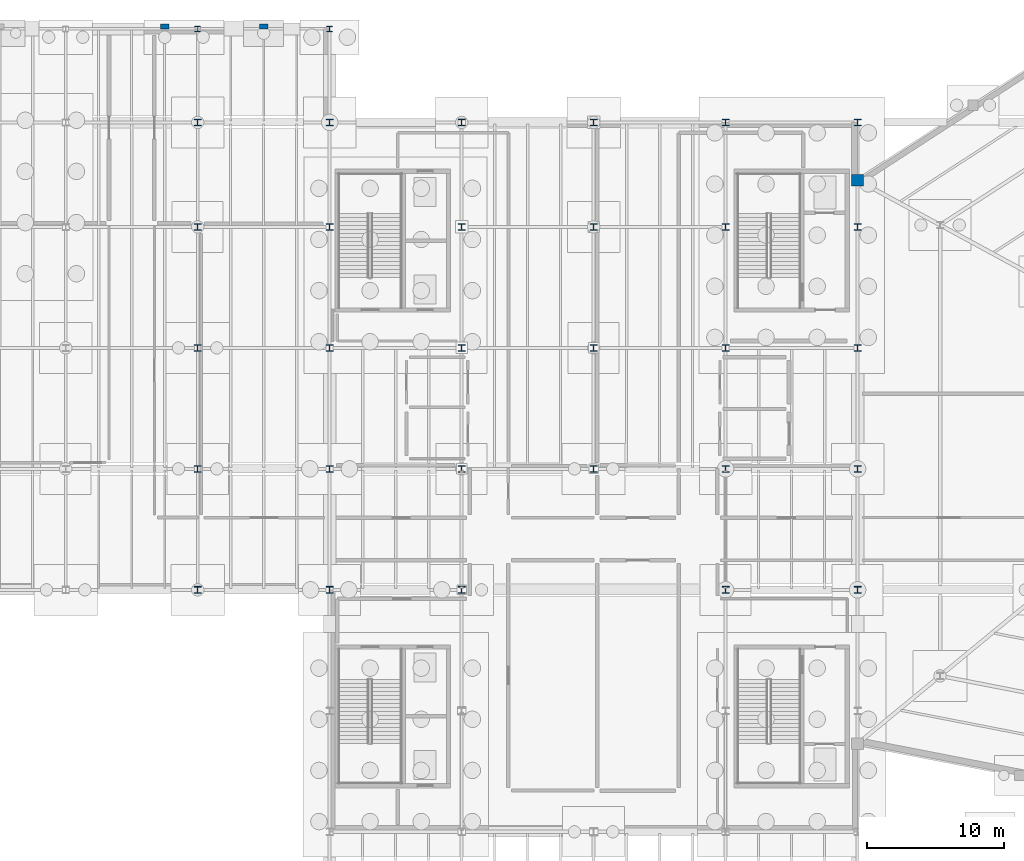
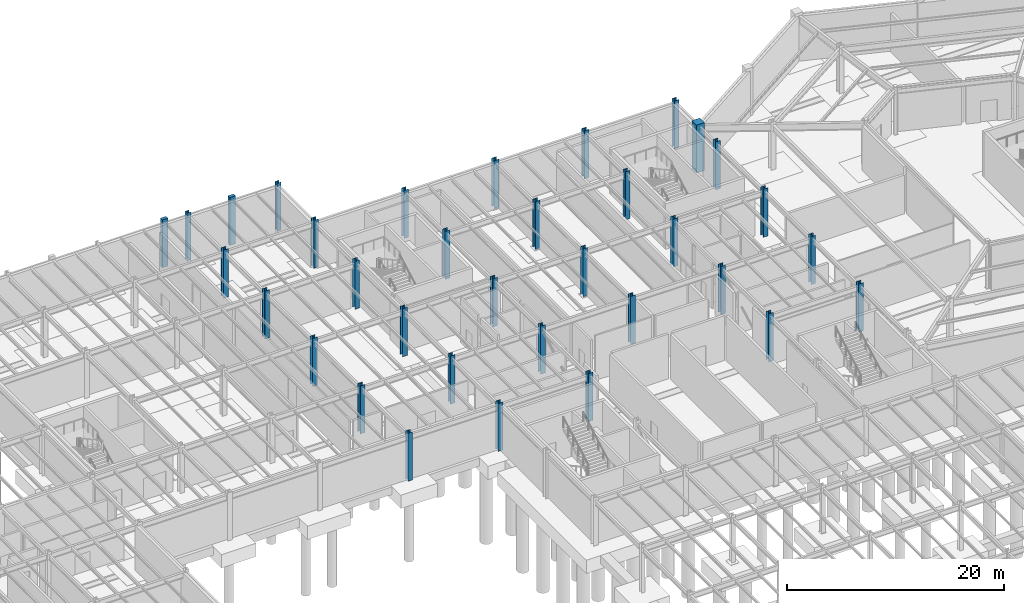
# One storey, part 12 of 48: 34 columns.
"""IFC4 building model written with IfcOpenShell, lengths in metres."""

from ifc_helpers import new_model, si_unit, direction, frame, origin, origin_2d, place, context, subcontext, project, spatial, rectangle, i_section, extrude, material, material_profile, profile_set, type_object, element, save


model = new_model("IFC4")

# Units and contexts
model_context = context("Model", 3, precision=1e-05, world=origin(), true_north=direction((0.0, 1.0)))
body_context = subcontext(model_context, "Body", "Model", "MODEL_VIEW")
ifc_project = project(units=[si_unit("LENGTHUNIT", "METRE"), si_unit("AREAUNIT", "SQUARE_METRE"), si_unit("VOLUMEUNIT", "CUBIC_METRE"), si_unit("PLANEANGLEUNIT", "RADIAN"), si_unit("MASSUNIT", "GRAM", prefix="KILO")], contexts=[model_context])

# Site, building, storey
site_placement = place(None, origin())
site = spatial("IfcSite", under=ifc_project, at=site_placement, CompositionType="ELEMENT")
building_placement = place(site_placement, origin())
building = spatial("IfcBuilding", under=site, at=building_placement, Name="Sarnbrook Museum", CompositionType="ELEMENT")
storey_placement = place(building_placement, frame((0.0, 0.0, -5.39990234375)))
storey = spatial("IfcBuildingStorey", under=building, at=storey_placement, Name="B1", CompositionType="ELEMENT", Elevation=-5.39990234375)

# Columns
ifc_material_1 = material(Name="Concrete N50 (AS 3600, f'c = 50 MPa)", Category="concrete")
ifc_material_profile_1 = material_profile(ifc_material_1, rectangle(XDim=0.85009765625, YDim=0.85009765625, at=origin_2d()), Name="RC 850x850")
ifc_profile_set_1 = profile_set([ifc_material_profile_1], Name="Concrete N50 (AS 3600, f'c = 50 MPa)")
column_type_1 = type_object("IfcColumnType", Name="COL-RC850", PredefinedType="COLUMN", material=ifc_profile_set_1)
column_placement = place(storey_placement, frame((119.199951171875, 104.199951171875, 0.0), z_axis=(0.0, 0.0, 1.0), x_axis=(1.0, 0.0, 0.0)))
element("IfcColumn", 1, at=column_placement, inside=storey, type_object=column_type_1, Name="Crystal Pier Column V7 B1", PredefinedType="COLUMN", context=body_context, shape_type="SweptSolid", body=[
    extrude(rectangle(XDim=0.85009765625, YDim=0.85009765625, at=origin_2d()), origin(), (0.0, 0.0, 1.0), 5.39990234375),
])
ifc_material_2 = material(Name="Structural Steel Grade 350L0 (AS/NZS 3678, fy = 340 MPa for 20 < t <= 40 mm)", Category="steel")
ifc_material_profile_2 = material_profile(ifc_material_2, i_section(OverallWidth=0.39990234375, OverallDepth=0.382080078125, WebThickness=0.02490234375, FlangeThickness=0.035888671875, at=origin_2d()), Name="400WC270")
ifc_profile_set_2 = profile_set([ifc_material_profile_2], Name="Structural Steel Grade 350L0 (AS/NZS 3678, fy = 340 MPa for 20 < t <= 40 mm)")
column_type_2 = type_object("IfcColumnType", Name="COL-WC400", PredefinedType="COLUMN", material=ifc_profile_set_2)
for number, where, z_axis, x_axis, name in (
    (2, (71.199951171875, 115.199951171875, 0.0), (0.0, 0.0, 1.0), (1.0, 0.0, 0.0), "Column 8-P B1"),
    (3, (80.800048828125, 115.199951171875, 0.0), (0.0, 0.0, 1.0), (1.0, 0.0, 0.0), "Column 9-P B1"),
):
    element("IfcColumn", number, at=place(storey_placement, frame(where, z_axis=z_axis, x_axis=x_axis)), inside=storey, type_object=column_type_2, Name=name, PredefinedType="COLUMN", context=body_context, shape_type="SweptSolid", body=[
        extrude(i_section(OverallWidth=0.39990234375, OverallDepth=0.382080078125, WebThickness=0.02490234375, FlangeThickness=0.035888671875, at=origin_2d()), origin(), (0.0, 0.0, 1.0), 5.39990234375),
    ])
ifc_material_profile_3 = material_profile(ifc_material_2, i_section(OverallWidth=0.5, OverallDepth=0.489990234375, WebThickness=0.028076171875, FlangeThickness=0.0400390625, at=origin_2d()), Name="500WC340")
ifc_profile_set_3 = profile_set([ifc_material_profile_3], Name="Structural Steel Grade 350L0 (AS/NZS 3678, fy = 340 MPa for 20 < t <= 40 mm)")
column_type_3 = type_object("IfcColumnType", Name="COL-WC500", PredefinedType="COLUMN", material=ifc_profile_set_3)
for number, where, z_axis, x_axis, name in (
    (4, (90.39990234375, 74.39990234375, 0.0), (0.0, 0.0, 1.0), (1.0, 0.0, 0.0), "Column 10-J B1"),
    (5, (90.39990234375, 83.199951171875, 0.0), (0.0, 0.0, 1.0), (1.0, 0.0, 0.0), "Column 10-K B1"),
    (6, (90.39990234375, 92.0, 0.0), (0.0, 0.0, 1.0), (1.0, 0.0, 0.0), "Column 10-L B1"),
    (7, (90.39990234375, 100.800048828125, 0.0), (0.0, 0.0, 1.0), (1.0, 0.0, 0.0), "Column 10-M B1"),
    (8, (90.39990234375, 108.39990234375, 0.0), (0.0, 0.0, 1.0), (1.0, 0.0, 0.0), "Column 10-N B1"),
    (9, (100.0, 83.199951171875, 0.0), (0.0, 0.0, 1.0), (1.0, 0.0, 0.0), "Column 11-K B1"),
    (10, (100.0, 92.0, 0.0), (0.0, 0.0, 1.0), (1.0, 0.0, 0.0), "Column 11-L B1"),
    (11, (100.0, 100.800048828125, 0.0), (0.0, 0.0, 1.0), (1.0, 0.0, 0.0), "Column 11-M B1"),
    (12, (100.0, 108.39990234375, 0.0), (0.0, 0.0, 1.0), (1.0, 0.0, 0.0), "Column 11-N B1"),
    (13, (109.60009765625, 74.39990234375, 0.0), (0.0, 0.0, 1.0), (1.0, 0.0, 0.0), "Column 12-J B1"),
    (14, (109.60009765625, 83.199951171875, 0.0), (0.0, 0.0, 1.0), (1.0, 0.0, 0.0), "Column 12-K B1"),
    (15, (109.60009765625, 92.0, 0.0), (0.0, 0.0, 1.0), (1.0, 0.0, 0.0), "Column 12-L B1"),
    (16, (109.60009765625, 100.800048828125, 0.0), (0.0, 0.0, 1.0), (1.0, 0.0, 0.0), "Column 12-M B1"),
    (17, (109.60009765625, 108.39990234375, 0.0), (0.0, 0.0, 1.0), (1.0, 0.0, 0.0), "Column 12-N B1"),
    (18, (119.199951171875, 74.39990234375, 0.0), (0.0, 0.0, 1.0), (1.0, 0.0, 0.0), "Column 13-J B1"),
    (19, (119.199951171875, 83.199951171875, 0.0), (0.0, 0.0, 1.0), (1.0, 0.0, 0.0), "Column 13-K B1"),
    (20, (119.199951171875, 92.0, 0.0), (0.0, 0.0, 1.0), (1.0, 0.0, 0.0), "Column 13-L B1"),
    (21, (119.199951171875, 100.800048828125, 0.0), (0.0, 0.0, 1.0), (1.0, 0.0, 0.0), "Column 13-M B1"),
    (22, (119.199951171875, 108.39990234375, 0.0), (0.0, 0.0, 1.0), (1.0, 0.0, 0.0), "Column 13-N B1"),
    (23, (71.199951171875, 74.39990234375, 0.0), (0.0, 0.0, 1.0), (1.0, 0.0, 0.0), "Column 8-J B1"),
    (24, (71.199951171875, 83.199951171875, 0.0), (0.0, 0.0, 1.0), (1.0, 0.0, 0.0), "Column 8-K B1"),
    (25, (71.199951171875, 92.0, 0.0), (0.0, 0.0, 1.0), (1.0, 0.0, 0.0), "Column 8-L B1"),
    (26, (71.199951171875, 100.800048828125, 0.0), (0.0, 0.0, 1.0), (1.0, 0.0, 0.0), "Column 8-M B1"),
    (27, (71.199951171875, 108.39990234375, 0.0), (0.0, 0.0, 1.0), (1.0, 0.0, 0.0), "Column 8-N B1"),
    (28, (80.800048828125, 74.39990234375, 0.0), (0.0, 0.0, 1.0), (1.0, 0.0, 0.0), "Column 9-J B1"),
    (29, (80.800048828125, 83.199951171875, 0.0), (0.0, 0.0, 1.0), (1.0, 0.0, 0.0), "Column 9-K B1"),
    (30, (80.800048828125, 92.0, 0.0), (0.0, 0.0, 1.0), (1.0, 0.0, 0.0), "Column 9-L B1"),
    (31, (80.800048828125, 100.800048828125, 0.0), (0.0, 0.0, 1.0), (1.0, 0.0, 0.0), "Column 9-M B1"),
    (32, (80.800048828125, 108.39990234375, 0.0), (0.0, 0.0, 1.0), (1.0, 0.0, 0.0), "Column 9-N B1"),
):
    element("IfcColumn", number, at=place(storey_placement, frame(where, z_axis=z_axis, x_axis=x_axis)), inside=storey, type_object=column_type_3, Name=name, PredefinedType="COLUMN", context=body_context, shape_type="SweptSolid", body=[
        extrude(i_section(OverallWidth=0.5, OverallDepth=0.489990234375, WebThickness=0.028076171875, FlangeThickness=0.0400390625, at=origin_2d()), origin(), (0.0, 0.0, 1.0), 5.39990234375),
    ])
ifc_material_3 = material(Name="Concrete N40 (AS 3600, f'c = 40 MPa)", Category="concrete")
ifc_material_profile_4 = material_profile(ifc_material_3, rectangle(XDim=0.60009765625, YDim=0.35009765625, at=origin_2d()), Name="PILASTER 600x350")
ifc_profile_set_4 = profile_set([ifc_material_profile_4], Name="Concrete N40 (AS 3600, f'c = 40 MPa)")
column_type_4 = type_object("IfcColumnType", Name="PIL-600x350", PredefinedType="PILASTER", material=ifc_profile_set_4)
for number, where, z_axis, x_axis, name in (
    (33, (68.800048828125, 115.3798828125, 0.0), (0.0, 0.0, 1.0), (1.0, 0.0, 0.0), "Sandstone Classical Pilaster P-N2 B1"),
    (34, (76.0, 115.3798828125, 0.0), (0.0, 0.0, 1.0), (1.0, 0.0, 0.0), "Sandstone Classical Pilaster P-N3 B1"),
):
    element("IfcColumn", number, at=place(storey_placement, frame(where, z_axis=z_axis, x_axis=x_axis)), inside=storey, type_object=column_type_4, Name=name, PredefinedType="PILASTER", context=body_context, shape_type="SweptSolid", body=[
        extrude(rectangle(XDim=0.60009765625, YDim=0.35009765625, at=origin_2d()), origin(), (0.0, 0.0, 1.0), 5.39990234375),
    ])

save(model, "model.ifc")
